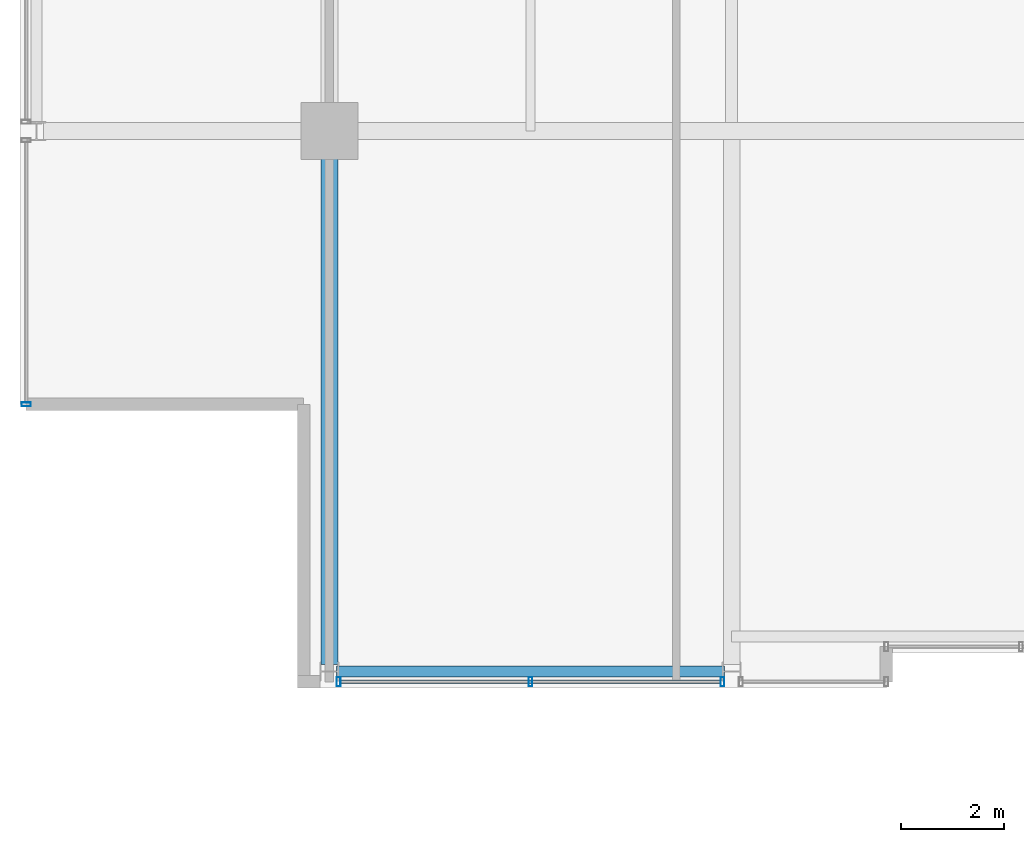
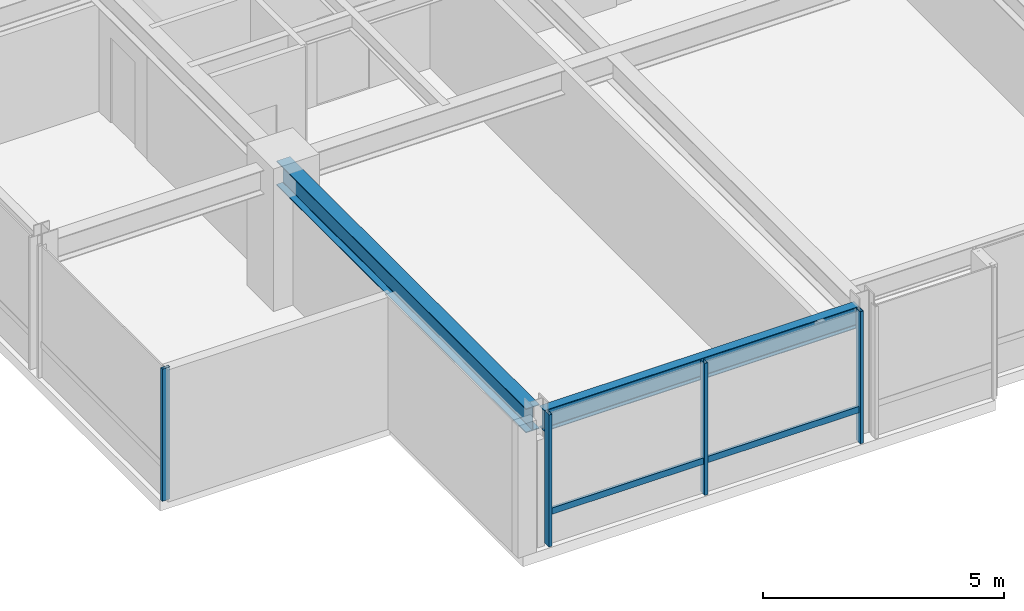
# One storey, part 3 of 31: 5 members, 2 beams, 2 elements without a shape of their own.
"""IFC4 building model written with IfcOpenShell, lengths in metres."""

import ifcopenshell
import ifcopenshell.guid

model = None  # the IFC model being written
_history = None  # IfcOwnerHistory: only IFC2X3 demands one
_inside = {}  # id of a spatial element -> (the spatial element, [elements in it])
_under = {}  # id of a project, library or spatial element -> (it, [spatial elements below it])
_declared = {}  # id of a project -> (the project, [libraries it declares])
_typed = {}  # id of a type object -> (the type object, [elements of that type])
_made_of = {}  # id of a material, layer set ... -> (it, [elements and type objects made of it])


def new_model(schema):
    """Start an empty IFC model of exactly this schema.

    Asked for "IFC4X3", IfcOpenShell would pick the latest addendum, in which some entities
    have other attributes; the version numbers below select the first issue.
    IFC2X3 requires an IfcOwnerHistory on every rooted entity: one is made here for all.
    """
    global model, _history
    if schema == "IFC4X3":
        model = ifcopenshell.file(schema_version=(4, 3, 0, 0))
    else:
        model = ifcopenshell.file(schema=schema)
    _inside.clear()
    _under.clear()
    _declared.clear()
    _typed.clear()
    _made_of.clear()
    _history = None
    if model.schema == "IFC2X3":
        org = make("IfcOrganization", Name="unknown")
        user = make(
            "IfcPersonAndOrganization",
            ThePerson=make("IfcPerson", FamilyName="unknown"),
            TheOrganization=org,
        )
        app = make(
            "IfcApplication",
            ApplicationDeveloper=org,
            Version="unknown",
            ApplicationFullName="unknown",
            ApplicationIdentifier="unknown",
        )
        _history = make(
            "IfcOwnerHistory",
            OwningUser=user,
            OwningApplication=app,
            ChangeAction="ADDED",
            CreationDate=0,
        )
    return model


def make(cls, **values):
    """One entity of the class cls with the attributes given. An attribute that is None is left unset."""
    return model.create_entity(
        cls, **{name: value for name, value in values.items() if value is not None}
    )


def rooted(cls, **values):
    """An entity with a GlobalId (a new one), such as an element, a storey or a relation."""
    return make(cls, GlobalId=ifcopenshell.guid.new(), OwnerHistory=_history, **values)


def si_unit(unit_type, name, prefix=None):
    """IfcSIUnit, for example si_unit("LENGTHUNIT", "METRE", prefix="MILLI")."""
    return make("IfcSIUnit", UnitType=unit_type, Prefix=prefix, Name=name)


def assignment(units):
    """IfcUnitAssignment: the units of a project."""
    return None if units is None else make("IfcUnitAssignment", Units=units)


def point(xyz):
    """IfcCartesianPoint."""
    return None if xyz is None else make("IfcCartesianPoint", Coordinates=xyz)


def direction(xyz):
    """IfcDirection."""
    return None if xyz is None else make("IfcDirection", DirectionRatios=xyz)


def frame(location, z_axis=None, x_axis=None):
    """IfcAxis2Placement3D, a coordinate frame: its origin and axes. An axis left out is left unset."""
    return make(
        "IfcAxis2Placement3D",
        Location=point(location),
        Axis=direction(z_axis),
        RefDirection=direction(x_axis),
    )


def frame_2d(location, x_axis=None):
    """IfcAxis2Placement2D, a coordinate frame in the plane: its origin and x axis."""
    return make(
        "IfcAxis2Placement2D", Location=point(location), RefDirection=direction(x_axis)
    )


def origin():
    """The frame at (0, 0, 0) with its axes left unset."""
    return frame((0.0, 0.0, 0.0))


def origin_2d():
    """The frame at (0, 0) in the plane with its x axis left unset."""
    return frame_2d((0.0, 0.0))


def place(relative_to, where):
    """IfcLocalPlacement: puts the frame where relative to a parent placement (None: the world)."""
    return make(
        "IfcLocalPlacement", PlacementRelTo=relative_to, RelativePlacement=where
    )


def context(
    kind, dimensions, precision=None, world=None, true_north=None, identifier=None
):
    """IfcGeometricRepresentationContext, for example the 3D "Model" context."""
    return make(
        "IfcGeometricRepresentationContext",
        ContextIdentifier=identifier,
        ContextType=kind,
        CoordinateSpaceDimension=dimensions,
        Precision=precision,
        WorldCoordinateSystem=world,
        TrueNorth=true_north,
    )


def subcontext(parent, identifier, kind, view, scale=None):
    """IfcGeometricRepresentationSubContext, for example "Body" below "Model"."""
    return make(
        "IfcGeometricRepresentationSubContext",
        ContextIdentifier=identifier,
        ContextType=kind,
        ParentContext=parent,
        TargetScale=scale,
        TargetView=view,
    )


def project(units=None, contexts=None):
    """IfcProject with its units and contexts."""
    return rooted(
        "IfcProject",
        Name="project",
        RepresentationContexts=contexts,
        UnitsInContext=assignment(units),
    )


def spatial(cls, under=None, at=None, **own):
    """A site, building, storey or space (cls), placed at a placement, below another one or the project."""
    s = rooted(cls, ObjectPlacement=at, **own)
    if under is not None:
        _under.setdefault(under.id(), (under, []))[1].append(s)
    return s


def profile(cls, at=None, kind="AREA", **sizes):
    """A parametric profile (cls). Its sizes go by their IFC names, for example OverallWidth=200.0."""
    return make(cls, ProfileType=kind, Position=at, **sizes)


def hollow_rectangle(**sizes):
    """IfcRectangleHollowProfileDef."""
    return profile("IfcRectangleHollowProfileDef", **sizes)


def i_section(**sizes):
    """IfcIShapeProfileDef."""
    return profile("IfcIShapeProfileDef", **sizes)


def extrude(swept, where, along, depth):
    """IfcExtrudedAreaSolid: the profile swept, set in the frame where, extruded along a direction by depth."""
    return make(
        "IfcExtrudedAreaSolid",
        SweptArea=swept,
        Position=where,
        ExtrudedDirection=direction(along),
        Depth=depth,
    )


def shape(context_of_items, identifier, shape_type, items):
    """IfcShapeRepresentation: the items that make up one representation, for example the "Body"."""
    return make(
        "IfcShapeRepresentation",
        ContextOfItems=context_of_items,
        RepresentationIdentifier=identifier,
        RepresentationType=shape_type,
        Items=items,
    )


def material(Name=None, Category=None):
    """IfcMaterial."""
    return make("IfcMaterial", Name=Name, Category=Category)


def layer(
    of_material, thickness, ventilated=None, Name=None, Category=None, Priority=None
):
    """IfcMaterialLayer: one layer of a wall or slab, of a material (None: an air gap)."""
    return make(
        "IfcMaterialLayer",
        Material=of_material,
        LayerThickness=thickness,
        IsVentilated=ventilated,
        Name=Name,
        Category=Category,
        Priority=Priority,
    )


def layer_set(layers, Name=None):
    """IfcMaterialLayerSet."""
    return make("IfcMaterialLayerSet", MaterialLayers=layers, LayerSetName=Name)


def material_profile(
    of_material, cross_section, Name=None, Category=None, Priority=None
):
    """IfcMaterialProfile: a cross section and its material."""
    return make(
        "IfcMaterialProfile",
        Name=Name,
        Material=of_material,
        Profile=cross_section,
        Priority=Priority,
        Category=Category,
    )


def profile_set(profiles, Name=None, composite=None):
    """IfcMaterialProfileSet."""
    return make(
        "IfcMaterialProfileSet",
        Name=Name,
        MaterialProfiles=profiles,
        CompositeProfile=composite,
    )


def made_of(thing, what):
    """Note that an element or type object is made of a material, layer set ...; save() writes the relation."""
    if what is not None:
        _made_of.setdefault(what.id(), (what, []))[1].append(thing)
    return thing


def type_object(cls, material=None, **own):
    """A type object (cls), such as IfcWallType, which elements share."""
    return made_of(rooted(cls, **own), material)


def element(
    cls,
    number,
    at=None,
    inside=None,
    cuts=None,
    type_object=None,
    material=None,
    context=None,
    identifier="Body",
    shape_type=None,
    held_by="IfcProductDefinitionShape",
    body=None,
    shapes=None,
    **own,
):
    """One element of the class cls, such as IfcWall. Its Tag is "e" and its number.

    at: its placement. inside: the storey or other place that contains it. cuts: it is an
    opening in that element (IfcRelVoidsElement). A single representation is given by context,
    identifier, shape_type and body (its items); several are given by shapes. held_by: the class
    of the entity that holds the representations. save() writes the other relations.
    """
    e = rooted(cls, Tag="e%d" % number, ObjectPlacement=at, **own)
    if body is not None:
        shapes = [shape(context, identifier, shape_type, body)]
    if shapes is not None:
        e.Representation = make(held_by, Representations=shapes)
    if inside is not None:
        _inside.setdefault(inside.id(), (inside, []))[1].append(e)
    if cuts is not None:
        rooted(
            "IfcRelVoidsElement", RelatingBuildingElement=cuts, RelatedOpeningElement=e
        )
    if type_object is not None:
        _typed.setdefault(type_object.id(), (type_object, []))[1].append(e)
    return made_of(e, material)


def aggregate(whole, parts):
    """IfcRelAggregates: a whole, such as a stair, and the parts it consists of."""
    return rooted("IfcRelAggregates", RelatingObject=whole, RelatedObjects=parts)


def save(model, path):
    """Write the relations noted so far, then the file.

    IfcRelAggregates (storeys below a building ...), IfcRelContainedInSpatialStructure (elements
    in a storey), IfcRelDefinesByType, IfcRelAssociatesMaterial and IfcRelDeclares: one each for
    every whole, place, type object, material and project.
    """
    for whole, parts in _under.values():
        aggregate(whole, parts)
    for where, things in _inside.values():
        rooted(
            "IfcRelContainedInSpatialStructure",
            RelatedElements=things,
            RelatingStructure=where,
        )
    for kind, things in _typed.values():
        rooted("IfcRelDefinesByType", RelatedObjects=things, RelatingType=kind)
    for what, things in _made_of.values():
        rooted("IfcRelAssociatesMaterial", RelatedObjects=things, RelatingMaterial=what)
    for by, libraries in _declared.values():
        rooted("IfcRelDeclares", RelatingContext=by, RelatedDefinitions=libraries)
    model.write(path)


model = new_model("IFC4")

# Units and contexts
model_context = context("Model", 3, precision=1e-05, world=origin(), true_north=direction((0.0, 1.0)))
body_context = subcontext(model_context, "Body", "Model", "MODEL_VIEW")
ifc_project = project(units=[si_unit("LENGTHUNIT", "METRE"), si_unit("AREAUNIT", "SQUARE_METRE"), si_unit("VOLUMEUNIT", "CUBIC_METRE"), si_unit("PLANEANGLEUNIT", "RADIAN"), si_unit("MASSUNIT", "GRAM", prefix="KILO")], contexts=[model_context])

# Site, building, storey
site_placement = place(None, origin())
site = spatial("IfcSite", under=ifc_project, at=site_placement, CompositionType="ELEMENT")
building_placement = place(site_placement, origin())
building = spatial("IfcBuilding", under=site, at=building_placement, Name="Drelvath Grand Hotel", CompositionType="ELEMENT")
storey_placement = place(building_placement, frame((0.0, 0.0, 244.699951171875)))
storey = spatial("IfcBuildingStorey", under=building, at=storey_placement, Name="L64", CompositionType="ELEMENT", Elevation=244.699951171875)

# Curtain wall, member
ifc_material_1 = material(Name="Platinum-Mist Anodised Aluminium Frame", Category="aluminium")
ifc_layer = layer(ifc_material_1, 0.199951171875)
ifc_layer_set = layer_set([ifc_layer], Name="Platinum-Mist Anodised Aluminium Frame")
curtain_wall_type = type_object("IfcCurtainWallType", Name="Stick Curtain Wall CW-05 Platinum Mist High-Rise", PredefinedType="NOTDEFINED", material=ifc_layer_set)
curtain_wall_1_placement = place(storey_placement, origin())
curtain_wall_1 = element("IfcCurtainWall", 1, at=curtain_wall_1_placement, inside=storey, type_object=curtain_wall_type, Name="L64 CW-05 Curtain Wall CW05-L64-SW2", PredefinedType="NOTDEFINED")
ifc_material_profile_1 = material_profile(ifc_material_1, hollow_rectangle(XDim=0.06494140625, YDim=0.159912109375, WallThickness=0.00390625, at=origin_2d()), Name="HSS160X65X4")
ifc_profile_set_1 = profile_set([ifc_material_profile_1], Name="Platinum-Mist Anodised Aluminium Frame")
member_type_1 = type_object("IfcMemberType", Name="Curtain Wall Horizontal Transom CW-05 HSS160X65X4", PredefinedType="USERDEFINED", material=ifc_profile_set_1)
member_1_placement = place(storey_placement, frame((-8.6181640625, 0.1201171875, 0.8349609375), z_axis=(-1.0, 0.0, 0.0), x_axis=(0.0, -1.0, 0.0)))
member_1 = element("IfcMember", 2, at=member_1_placement, type_object=member_type_1, Name="CW05-L64-SW2 Sill Transom", ObjectType="TRANSOM", PredefinedType="USERDEFINED", context=body_context, shape_type="SweptSolid", body=[
    extrude(hollow_rectangle(XDim=0.06494140625, YDim=0.159912109375, WallThickness=0.00390625, at=origin_2d()), origin(), (0.0, 0.0, 1.0), 7.363525390625),
])

curtain_wall_2_placement = place(storey_placement, origin())
curtain_wall_2 = element("IfcCurtainWall", 3, at=curtain_wall_2_placement, inside=storey, type_object=curtain_wall_type, Name="L64 CW-05 Curtain Wall CW05-L64-WS1", PredefinedType="NOTDEFINED")
ifc_material_profile_2 = material_profile(ifc_material_1, hollow_rectangle(XDim=0.074951171875, YDim=0.179931640625, WallThickness=0.0048828125, at=origin_2d()), Name="HSS180X75X5")
ifc_profile_set_2 = profile_set([ifc_material_profile_2], Name="Platinum-Mist Anodised Aluminium Frame")
member_type_2 = type_object("IfcMemberType", Name="Curtain Wall Vertical Mullion CW-05 HSS180X75X5", PredefinedType="MULLION", material=ifc_profile_set_2)
member_2_placement = place(storey_placement, frame((-22.080078125, 5.5, 0.0), z_axis=(0.0, 0.0, 1.0), x_axis=(0.0, 1.0, 0.0)))
member_2 = element("IfcMember", 4, at=member_2_placement, type_object=member_type_2, Name="CW05-L64-WS1 Mullion 1", PredefinedType="MULLION", context=body_context, shape_type="SweptSolid", body=[
    extrude(hollow_rectangle(XDim=0.074951171875, YDim=0.179931640625, WallThickness=0.0048828125, at=origin_2d()), origin(), (0.0, 0.0, 1.0), 3.340087890625),
])
aggregate(curtain_wall_2, [member_2])

# Member
member_3_placement = place(storey_placement, frame((-8.578125, 0.1201171875, 0.0), z_axis=(0.0, 0.0, 1.0), x_axis=(1.0, 0.0, 0.0)))
member_3 = element("IfcMember", 5, at=member_3_placement, type_object=member_type_2, Name="CW05-L64-SW2 Mullion 1", PredefinedType="MULLION", context=body_context, shape_type="SweptSolid", body=[
    extrude(hollow_rectangle(XDim=0.074951171875, YDim=0.179931640625, WallThickness=0.0048828125, at=origin_2d()), origin(), (0.0, 0.0, 1.0), 3.340087890625),
])

member_4_placement = place(storey_placement, frame((-12.300048828125, 0.1201171875, 0.0), z_axis=(0.0, 0.0, 1.0), x_axis=(1.0, 0.0, 0.0)))
member_4 = element("IfcMember", 6, at=member_4_placement, type_object=member_type_2, Name="CW05-L64-SW2 Mullion 2", PredefinedType="MULLION", context=body_context, shape_type="SweptSolid", body=[
    extrude(hollow_rectangle(XDim=0.074951171875, YDim=0.179931640625, WallThickness=0.0048828125, at=origin_2d()), origin(), (0.0, 0.0, 1.0), 3.340087890625),
])

member_5_placement = place(storey_placement, frame((-16.021728515625, 0.1201171875, 0.0), z_axis=(0.0, 0.0, 1.0), x_axis=(1.0, 0.0, 0.0)))
member_5 = element("IfcMember", 7, at=member_5_placement, type_object=member_type_2, Name="CW05-L64-SW2 Mullion 3", PredefinedType="MULLION", context=body_context, shape_type="SweptSolid", body=[
    extrude(hollow_rectangle(XDim=0.074951171875, YDim=0.179931640625, WallThickness=0.0048828125, at=origin_2d()), origin(), (0.0, 0.0, 1.0), 3.340087890625),
])

aggregate(curtain_wall_1, [member_3, member_4, member_5, member_1])

# Beams
ifc_material_2 = material(Name="Steel ASTM A992 Gr 50", Category="steel")
ifc_material_profile_3 = material_profile(ifc_material_2, i_section(OverallWidth=0.210205078125, OverallDepth=0.53662109375, WebThickness=0.010986328125, FlangeThickness=0.017333984375, FilletRadius=0.01806640625, at=origin_2d()), Name="W21X68")
ifc_profile_set_3 = profile_set([ifc_material_profile_3], Name="Steel ASTM A992 Gr 50")
beam_type_1 = type_object("IfcBeamType", Name="Perimeter Spandrel Beam W21X68", PredefinedType="SPANDREL", material=ifc_profile_set_3)
beam_1_placement = place(storey_placement, frame((-16.06005859375, 0.320068359375, 3.071533203125), z_axis=(1.0, 0.0, 0.0), x_axis=(0.0, 1.0, 0.0)))
element("IfcBeam", 8, at=beam_1_placement, inside=storey, type_object=beam_type_1, Name="L64 Spandrel South W", PredefinedType="SPANDREL", context=body_context, shape_type="SweptSolid", body=[
    extrude(i_section(OverallWidth=0.210205078125, OverallDepth=0.53662109375, WebThickness=0.010986328125, FlangeThickness=0.017333984375, FilletRadius=0.01806640625, at=origin_2d()), origin(), (0.0, 0.0, 1.0), 7.52001953125),
])
ifc_material_profile_4 = material_profile(ifc_material_2, i_section(OverallWidth=0.323974609375, OverallDepth=0.611083984375, WebThickness=0.0126953125, FlangeThickness=0.01904296875, FilletRadius=0.02197265625, at=origin_2d()), Name="W24X104")
ifc_profile_set_4 = profile_set([ifc_material_profile_4], Name="Steel ASTM A992 Gr 50")
beam_type_2 = type_object("IfcBeamType", Name="Primary Floor Girder W24X104", PredefinedType="BEAM", material=ifc_profile_set_4)
beam_2_placement = place(storey_placement, frame((-16.199951171875, 0.4599609375, 3.034423828125), z_axis=(0.0, 1.0, 0.0), x_axis=(-1.0, 0.0, 0.0)))
element("IfcBeam", 9, at=beam_2_placement, inside=storey, type_object=beam_type_2, Name="L64 South Grid Girder 3", PredefinedType="BEAM", context=body_context, shape_type="SweptSolid", body=[
    extrude(i_section(OverallWidth=0.323974609375, OverallDepth=0.611083984375, WebThickness=0.0126953125, FlangeThickness=0.01904296875, FilletRadius=0.02197265625, at=origin_2d()), origin(), (0.0, 0.0, 1.0), 10.340087890625),
])

save(model, "model.ifc")
